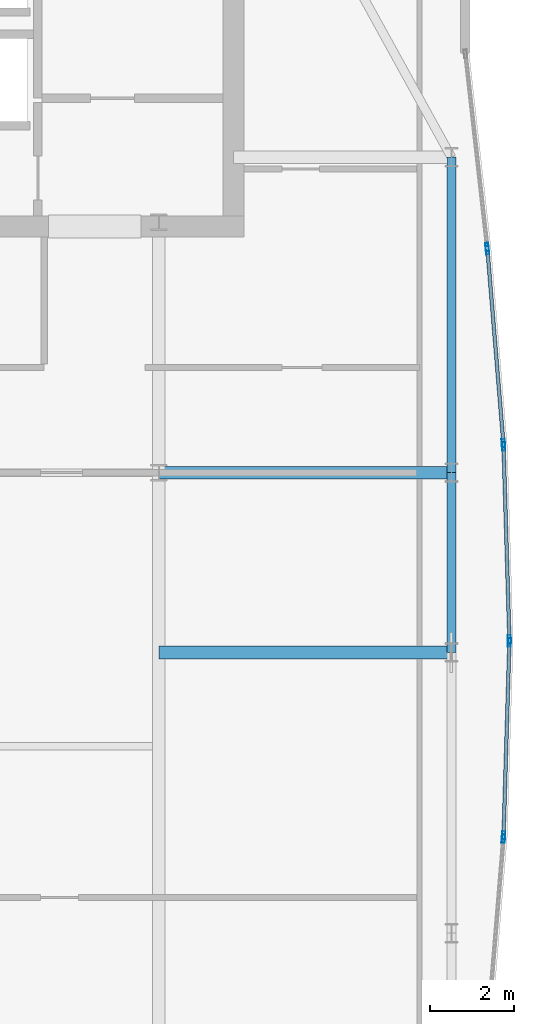
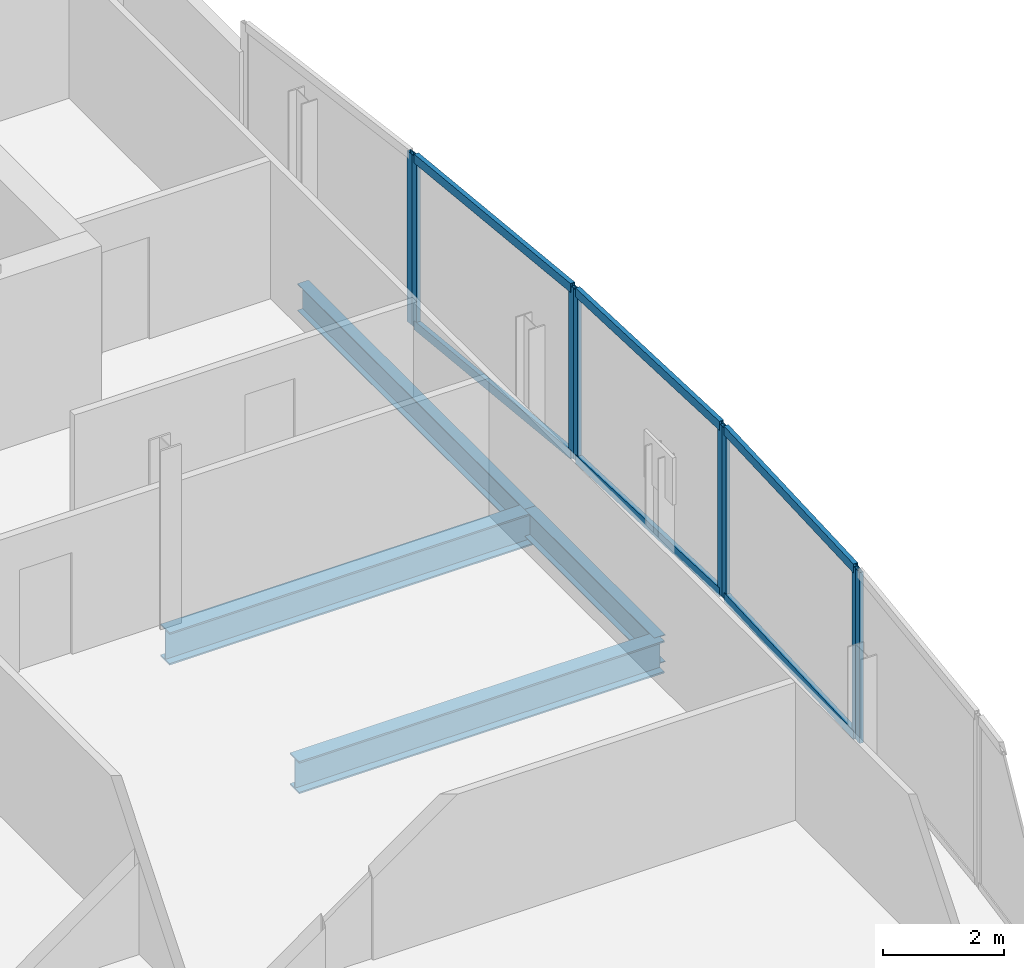
# One storey, part 15 of 25: 14 members, 4 beams, 5 elements without a shape of their own.
"""IFC4 building model written with IfcOpenShell, lengths in metres."""

from ifc_helpers import new_model, si_unit, direction, frame, origin, origin_2d, place, context, subcontext, project, spatial, hollow_rectangle, i_section, extrude, material, material_profile, profile_set, type_object, element, aggregate, save


model = new_model("IFC4")

# Units and contexts
model_context = context("Model", 3, precision=1e-05, world=origin(), true_north=direction((0.0, 1.0)))
body_context = subcontext(model_context, "Body", "Model", "MODEL_VIEW")
ifc_project = project(units=[si_unit("LENGTHUNIT", "METRE"), si_unit("AREAUNIT", "SQUARE_METRE"), si_unit("VOLUMEUNIT", "CUBIC_METRE"), si_unit("PLANEANGLEUNIT", "RADIAN"), si_unit("MASSUNIT", "GRAM", prefix="KILO")], contexts=[model_context])

# Site, building, storey
site_placement = place(None, origin())
site = spatial("IfcSite", under=ifc_project, at=site_placement, CompositionType="ELEMENT")
building_placement = place(site_placement, origin())
building = spatial("IfcBuilding", under=site, at=building_placement, Name="Khoronbel Lancet Exchange", CompositionType="ELEMENT")
storey_placement = place(building_placement, frame((0.0, 0.0, 298.60009765625)))
storey = spatial("IfcBuildingStorey", under=building, at=storey_placement, Name="L77", CompositionType="ELEMENT", Elevation=298.60009765625)

# Beams
ifc_material_1 = material(Name="Steel S355", Category="steel")
ifc_material_profile_1 = material_profile(ifc_material_1, i_section(OverallWidth=0.300048828125, OverallDepth=0.64990234375, WebThickness=0.01611328125, FlangeThickness=0.031005859375, at=origin_2d()), Name="HEB 650")
ifc_profile_set_1 = profile_set([ifc_material_profile_1], Name="Steel S355")
beam_type_1 = type_object("IfcBeamType", Name="BM-BG4", PredefinedType="BEAM", material=ifc_profile_set_1)
for number, where, z_axis, x_axis, name in (
    (1, (54.675048828125, 31.425048828125, -0.485107421875), (1.0, 0.0, 0.0), (0.0, 1.0, 0.0), "Level L77 east lens tie girder LG2E"),
    (2, (54.675048828125, 35.699951171875, -0.485107421875), (1.0, 0.0, 0.0), (0.0, 1.0, 0.0), "Level L77 east lens tie girder LG4E"),
):
    element("IfcBeam", number, at=place(storey_placement, frame(where, z_axis=z_axis, x_axis=x_axis)), inside=storey, type_object=beam_type_1, Name=name, PredefinedType="BEAM", context=body_context, shape_type="SweptSolid", body=[
        extrude(i_section(OverallWidth=0.300048828125, OverallDepth=0.64990234375, WebThickness=0.01611328125, FlangeThickness=0.031005859375, at=origin_2d()), origin(), (0.0, 0.0, 1.0), 6.954833984375),
    ])
ifc_material_profile_2 = material_profile(ifc_material_1, i_section(OverallWidth=0.2099609375, OverallDepth=0.550048828125, WebThickness=0.010986328125, FlangeThickness=0.01708984375, at=origin_2d()), Name="IPE 550")
ifc_profile_set_2 = profile_set([ifc_material_profile_2], Name="Steel S355")
beam_type_2 = type_object("IfcBeamType", Name="BM-BSP3", PredefinedType="SPANDREL", material=ifc_profile_set_2)
beam_1_placement = place(storey_placement, frame((61.6298828125, 31.425048828125, -0.43505859375), z_axis=(0.0, 1.0, 0.0), x_axis=(-1.0, 0.0, 0.0)))
element("IfcBeam", 3, at=beam_1_placement, inside=storey, type_object=beam_type_2, Name="Level L77 perimeter spandrel beam SP13", PredefinedType="SPANDREL", context=body_context, shape_type="SweptSolid", body=[
    extrude(i_section(OverallWidth=0.2099609375, OverallDepth=0.550048828125, WebThickness=0.010986328125, FlangeThickness=0.01708984375, at=origin_2d()), origin(), (0.0, 0.0, 1.0), 4.27490234375),
])
beam_2_placement = place(storey_placement, frame((61.6298828125, 35.699951171875, -0.43505859375), z_axis=(0.0, 1.0, 0.0), x_axis=(-1.0, 0.0, 0.0)))
element("IfcBeam", 4, at=beam_2_placement, inside=storey, type_object=beam_type_2, Name="Level L77 perimeter spandrel beam SP14", PredefinedType="SPANDREL", context=body_context, shape_type="SweptSolid", body=[
    extrude(i_section(OverallWidth=0.2099609375, OverallDepth=0.550048828125, WebThickness=0.010986328125, FlangeThickness=0.01708984375, at=origin_2d()), origin(), (0.0, 0.0, 1.0), 7.5),
])

# Curtain wall, member
ifc_material_2 = material(Name="Low-E Solar Control Insulating Glass", Category="glass")
curtain_wall_type = type_object("IfcCurtainWallType", Name="CW-4", PredefinedType="NOTDEFINED", material=ifc_material_2)
curtain_wall_1_placement = place(storey_placement, origin())
curtain_wall_1 = element("IfcCurtainWall", 5, at=curtain_wall_1_placement, inside=storey, type_object=curtain_wall_type, Name="Unitised curtain wall CW-L77-E17", PredefinedType="NOTDEFINED")
ifc_material_3 = material(Name="Bronze-Anodised Aluminium 6063-T6", Category="aluminium")
ifc_material_profile_3 = material_profile(ifc_material_3, hollow_rectangle(XDim=0.074951171875, YDim=0.199951171875, WallThickness=0.0048828125, at=origin_2d()), Name="ALU MULLION 75x200")
ifc_profile_set_3 = profile_set([ifc_material_profile_3], Name="Bronze-Anodised Aluminium 6063-T6")
member_type_1 = type_object("IfcMemberType", Name="MEM-CWM2", PredefinedType="MULLION", material=ifc_profile_set_3)
member_1_placement = place(storey_placement, frame((62.481201171875, 41.061767578125, 0.0), z_axis=(0.0, 0.0, 1.0), x_axis=(0.993731788903, 0.111790570813, 0.0)))
member_1 = element("IfcMember", 6, at=member_1_placement, type_object=member_type_1, Name="CW4 mullion 2", PredefinedType="MULLION", context=body_context, shape_type="SweptSolid", body=[
    extrude(hollow_rectangle(XDim=0.074951171875, YDim=0.199951171875, WallThickness=0.0048828125, at=origin_2d()), origin(), (0.0, 0.0, 1.0), 3.43994140625),
])
aggregate(curtain_wall_1, [member_1])

# Curtain wall, members
curtain_wall_2_placement = place(storey_placement, origin())
curtain_wall_2 = element("IfcCurtainWall", 7, at=curtain_wall_2_placement, inside=storey, type_object=curtain_wall_type, Name="Unitised curtain wall CW-L77-E18", PredefinedType="NOTDEFINED")
member_2_placement = place(storey_placement, frame((62.488525390625, 40.9873046875, 0.0), z_axis=(0.0, 0.0, 1.0), x_axis=(0.996626353667, 0.082072596992, 0.0)))
member_2 = element("IfcMember", 8, at=member_2_placement, type_object=member_type_1, Name="CW4 mullion 1", PredefinedType="MULLION", context=body_context, shape_type="SweptSolid", body=[
    extrude(hollow_rectangle(XDim=0.074951171875, YDim=0.199951171875, WallThickness=0.0048828125, at=origin_2d()), origin(), (0.0, 0.0, 1.0), 3.43994140625),
])
member_3_placement = place(storey_placement, frame((62.8662109375, 36.39892578125, 0.0), z_axis=(0.0, 0.0, 1.0), x_axis=(0.996626353667, 0.082072596992, 0.0)))
member_3 = element("IfcMember", 9, at=member_3_placement, type_object=member_type_1, Name="CW4 mullion 2", PredefinedType="MULLION", context=body_context, shape_type="SweptSolid", body=[
    extrude(hollow_rectangle(XDim=0.074951171875, YDim=0.199951171875, WallThickness=0.0048828125, at=origin_2d()), origin(), (0.0, 0.0, 1.0), 3.43994140625),
])

curtain_wall_3_placement = place(storey_placement, origin())
curtain_wall_3 = element("IfcCurtainWall", 10, at=curtain_wall_3_placement, inside=storey, type_object=curtain_wall_type, Name="Unitised curtain wall CW-L77-E19", PredefinedType="NOTDEFINED")
member_4_placement = place(storey_placement, frame((62.87060546875, 36.32421875, 0.0), z_axis=(0.0, 0.0, 1.0), x_axis=(0.999545457549, 0.030147608411, 0.0)))
member_4 = element("IfcMember", 11, at=member_4_placement, type_object=member_type_1, Name="CW4 mullion 1", PredefinedType="MULLION", context=body_context, shape_type="SweptSolid", body=[
    extrude(hollow_rectangle(XDim=0.074951171875, YDim=0.199951171875, WallThickness=0.0048828125, at=origin_2d()), origin(), (0.0, 0.0, 1.0), 3.43994140625),
])
member_5_placement = place(storey_placement, frame((63.0087890625, 31.737548828125, 0.0), z_axis=(0.0, 0.0, 1.0), x_axis=(0.999545457549, 0.030147608411, 0.0)))
member_5 = element("IfcMember", 12, at=member_5_placement, type_object=member_type_1, Name="CW4 mullion 2", PredefinedType="MULLION", context=body_context, shape_type="SweptSolid", body=[
    extrude(hollow_rectangle(XDim=0.074951171875, YDim=0.199951171875, WallThickness=0.0048828125, at=origin_2d()), origin(), (0.0, 0.0, 1.0), 3.43994140625),
])

curtain_wall_4_placement = place(storey_placement, origin())
curtain_wall_4 = element("IfcCurtainWall", 13, at=curtain_wall_4_placement, inside=storey, type_object=curtain_wall_type, Name="Unitised curtain wall CW-L77-E20", PredefinedType="NOTDEFINED")
member_6_placement = place(storey_placement, frame((63.0087890625, 31.66259765625, 0.0), z_axis=(0.0, 0.0, 1.0), x_axis=(0.999545457549, -0.030147608411, 0.0)))
member_6 = element("IfcMember", 14, at=member_6_placement, type_object=member_type_1, Name="CW4 mullion 1", PredefinedType="MULLION", context=body_context, shape_type="SweptSolid", body=[
    extrude(hollow_rectangle(XDim=0.074951171875, YDim=0.199951171875, WallThickness=0.0048828125, at=origin_2d()), origin(), (0.0, 0.0, 1.0), 3.43994140625),
])
member_7_placement = place(storey_placement, frame((62.87060546875, 27.075927734375, 0.0), z_axis=(0.0, 0.0, 1.0), x_axis=(0.999545457549, -0.030147608411, 0.0)))
member_7 = element("IfcMember", 15, at=member_7_placement, type_object=member_type_1, Name="CW4 mullion 2", PredefinedType="MULLION", context=body_context, shape_type="SweptSolid", body=[
    extrude(hollow_rectangle(XDim=0.074951171875, YDim=0.199951171875, WallThickness=0.0048828125, at=origin_2d()), origin(), (0.0, 0.0, 1.0), 3.43994140625),
])

# Curtain wall, member
curtain_wall_5_placement = place(storey_placement, origin())
curtain_wall_5 = element("IfcCurtainWall", 16, at=curtain_wall_5_placement, inside=storey, type_object=curtain_wall_type, Name="Unitised curtain wall CW-L77-E21", PredefinedType="NOTDEFINED")
member_8_placement = place(storey_placement, frame((62.8662109375, 27.0009765625, 0.0), z_axis=(0.0, 0.0, 1.0), x_axis=(0.996626353667, -0.082072596992, 0.0)))
member_8 = element("IfcMember", 17, at=member_8_placement, type_object=member_type_1, Name="CW4 mullion 1", PredefinedType="MULLION", context=body_context, shape_type="SweptSolid", body=[
    extrude(hollow_rectangle(XDim=0.074951171875, YDim=0.199951171875, WallThickness=0.0048828125, at=origin_2d()), origin(), (0.0, 0.0, 1.0), 3.43994140625),
])
aggregate(curtain_wall_5, [member_8])

# Member
ifc_material_profile_4 = material_profile(ifc_material_3, hollow_rectangle(XDim=0.0849609375, YDim=0.179931640625, WallThickness=0.0048828125, at=origin_2d()), Name="ALU TRANSOM 85x180")
ifc_profile_set_4 = profile_set([ifc_material_profile_4], Name="Bronze-Anodised Aluminium 6063-T6")
member_type_2 = type_object("IfcMemberType", Name="MEM-CWT1", PredefinedType="USERDEFINED", material=ifc_profile_set_4)
member_9_placement = place(storey_placement, frame((62.491455078125, 40.949951171875, 0.04248046875), z_axis=(0.082099661491, -0.996624124524, 0.0), x_axis=(0.996624124524, 0.082099661491, 0.0)))
member_9 = element("IfcMember", 18, at=member_9_placement, type_object=member_type_2, Name="CW4 transom 1.1", ObjectType="TRANSOM", PredefinedType="USERDEFINED", context=body_context, shape_type="SweptSolid", body=[
    extrude(hollow_rectangle(XDim=0.0849609375, YDim=0.179931640625, WallThickness=0.0048828125, at=origin_2d()), origin(), (0.0, 0.0, 1.0), 4.529052734375),
])

member_10_placement = place(storey_placement, frame((62.491455078125, 40.949951171875, 3.3974609375), z_axis=(0.082099661491, -0.996624124524, 0.0), x_axis=(0.996624124524, 0.082099661491, 0.0)))
member_10 = element("IfcMember", 19, at=member_10_placement, type_object=member_type_2, Name="CW4 transom 1.2", ObjectType="TRANSOM", PredefinedType="USERDEFINED", context=body_context, shape_type="SweptSolid", body=[
    extrude(hollow_rectangle(XDim=0.0849609375, YDim=0.179931640625, WallThickness=0.0048828125, at=origin_2d()), origin(), (0.0, 0.0, 1.0), 4.529052734375),
])

aggregate(curtain_wall_2, [member_2, member_3, member_9, member_10])

member_11_placement = place(storey_placement, frame((62.87158203125, 36.28662109375, 0.04248046875), z_axis=(0.030181049901, -0.99954444835, 0.0), x_axis=(0.99954444835, 0.030181049901, 0.0)))
member_11 = element("IfcMember", 20, at=member_11_placement, type_object=member_type_2, Name="CW4 transom 1.1", ObjectType="TRANSOM", PredefinedType="USERDEFINED", context=body_context, shape_type="SweptSolid", body=[
    extrude(hollow_rectangle(XDim=0.0849609375, YDim=0.179931640625, WallThickness=0.0048828125, at=origin_2d()), origin(), (0.0, 0.0, 1.0), 4.513671875),
])

member_12_placement = place(storey_placement, frame((62.87158203125, 36.28662109375, 3.3974609375), z_axis=(0.030181049901, -0.99954444835, 0.0), x_axis=(0.99954444835, 0.030181049901, 0.0)))
member_12 = element("IfcMember", 21, at=member_12_placement, type_object=member_type_2, Name="CW4 transom 1.2", ObjectType="TRANSOM", PredefinedType="USERDEFINED", context=body_context, shape_type="SweptSolid", body=[
    extrude(hollow_rectangle(XDim=0.0849609375, YDim=0.179931640625, WallThickness=0.0048828125, at=origin_2d()), origin(), (0.0, 0.0, 1.0), 4.513671875),
])

aggregate(curtain_wall_3, [member_4, member_5, member_11, member_12])

member_13_placement = place(storey_placement, frame((63.0078125, 31.625, 0.04248046875), z_axis=(-0.030181049901, -0.99954444835, 0.0), x_axis=(0.99954444835, -0.030181049901, 0.0)))
member_13 = element("IfcMember", 22, at=member_13_placement, type_object=member_type_2, Name="CW4 transom 1.1", ObjectType="TRANSOM", PredefinedType="USERDEFINED", context=body_context, shape_type="SweptSolid", body=[
    extrude(hollow_rectangle(XDim=0.0849609375, YDim=0.179931640625, WallThickness=0.0048828125, at=origin_2d()), origin(), (0.0, 0.0, 1.0), 4.513671875),
])

member_14_placement = place(storey_placement, frame((63.0078125, 31.625, 3.3974609375), z_axis=(-0.030181049901, -0.99954444835, 0.0), x_axis=(0.99954444835, -0.030181049901, 0.0)))
member_14 = element("IfcMember", 23, at=member_14_placement, type_object=member_type_2, Name="CW4 transom 1.2", ObjectType="TRANSOM", PredefinedType="USERDEFINED", context=body_context, shape_type="SweptSolid", body=[
    extrude(hollow_rectangle(XDim=0.0849609375, YDim=0.179931640625, WallThickness=0.0048828125, at=origin_2d()), origin(), (0.0, 0.0, 1.0), 4.513671875),
])

aggregate(curtain_wall_4, [member_6, member_7, member_13, member_14])

save(model, "model.ifc")
